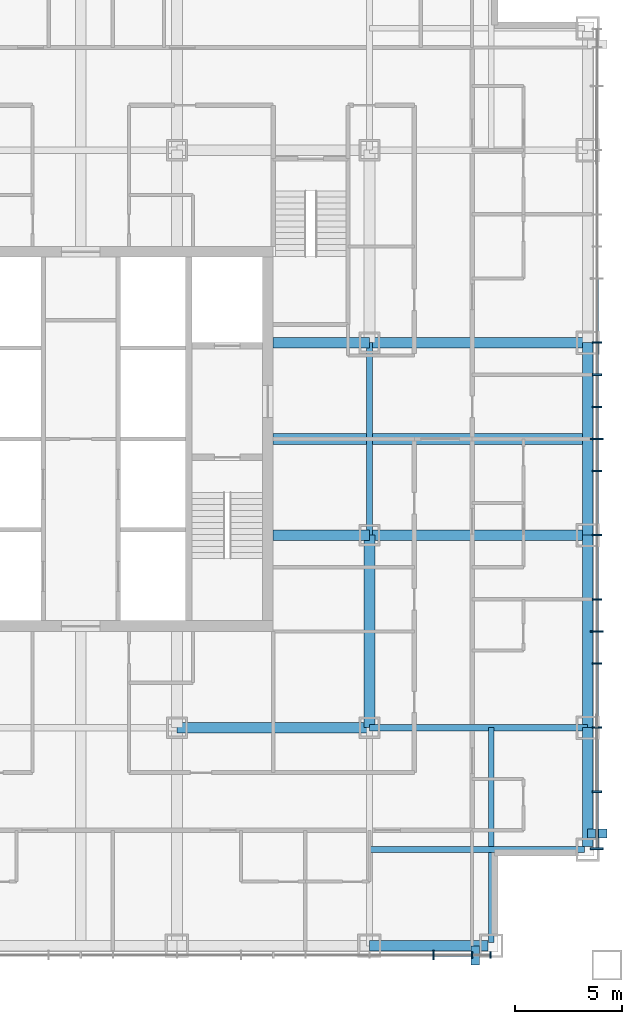
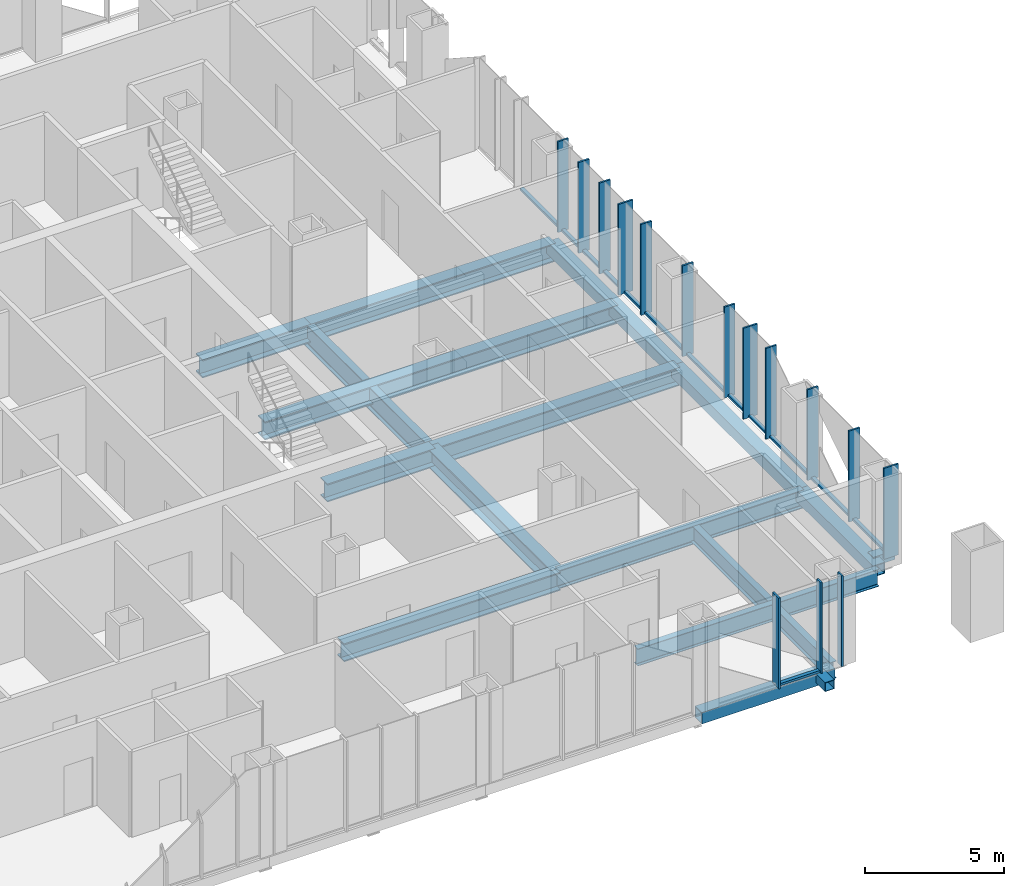
# One storey, part 4 of 16: 30 members, 15 beams, 2 elements without a shape of their own.
"""IFC4 building model written with IfcOpenShell, lengths in metres."""

from ifc_helpers import new_model, si_unit, direction, frame, origin, origin_2d, place, context, subcontext, project, spatial, rectangle, hollow_rectangle, i_section, extrude, material, layer, layer_set, material_profile, profile_set, type_object, element, aggregate, save


model = new_model("IFC4")

# Units and contexts
model_context = context("Model", 3, precision=1e-05, world=origin(), true_north=direction((0.0, 1.0)))
body_context = subcontext(model_context, "Body", "Model", "MODEL_VIEW")
ifc_project = project(units=[si_unit("LENGTHUNIT", "METRE"), si_unit("AREAUNIT", "SQUARE_METRE"), si_unit("VOLUMEUNIT", "CUBIC_METRE"), si_unit("PLANEANGLEUNIT", "RADIAN"), si_unit("MASSUNIT", "GRAM", prefix="KILO")], contexts=[model_context])

# Site, building, storey
site_placement = place(None, origin())
site = spatial("IfcSite", under=ifc_project, at=site_placement, CompositionType="ELEMENT")
building_placement = place(site_placement, origin())
building = spatial("IfcBuilding", under=site, at=building_placement, Name="Malebo Sky Hospital", CompositionType="ELEMENT")
storey_placement = place(building_placement, frame((0.0, 0.0, 144.0)))
storey = spatial("IfcBuildingStorey", under=building, at=storey_placement, Name="L34", CompositionType="ELEMENT", Elevation=144.0)

# Curtain wall, member
ifc_material_1 = material(Name="Anodised aluminium, natural silver", Category="aluminium")
ifc_layer_1 = layer(ifc_material_1, 0.25)
ifc_layer_set_1 = layer_set([ifc_layer_1], Name="WARD CURTAIN WALL NORTH AND SOUTH")
curtain_wall_type_1 = type_object("IfcCurtainWallType", Name="WARD CURTAIN WALL NORTH AND SOUTH", PredefinedType="NOTDEFINED", material=ifc_layer_set_1)
curtain_wall_1_placement = place(storey_placement, origin())
curtain_wall_1 = element("IfcCurtainWall", 1, at=curtain_wall_1_placement, inside=storey, type_object=curtain_wall_type_1, Name="NS curtain wall S", PredefinedType="NOTDEFINED")
ifc_material_profile_1 = material_profile(ifc_material_1, rectangle(XDim=0.14990234375, YDim=0.10009765625, at=origin_2d()), Name="ALUMINIUM TRANSOM 150x100")
ifc_profile_set_1 = profile_set([ifc_material_profile_1], Name="Anodised aluminium, natural silver")
member_type_1 = type_object("IfcMemberType", Name="ALUMINIUM TRANSOM 150x100", PredefinedType="USERDEFINED", material=ifc_profile_set_1)
member_1_placement = place(storey_placement, frame((78.262451171875, 37.864990234375, 0.050048828125), z_axis=(-1.0, 0.0, 0.0), x_axis=(0.0, -1.0, 0.0)))
member_1 = element("IfcMember", 2, at=member_1_placement, type_object=member_type_1, Name="Transom 2", ObjectType="TRANSOM", PredefinedType="USERDEFINED", context=body_context, shape_type="SweptSolid", body=[
    extrude(rectangle(XDim=0.14990234375, YDim=0.10009765625, at=origin_2d()), origin(), (0.0, 0.0, 1.0), 1.724853515625),
])

# Curtain wall, members
ifc_layer_2 = layer(ifc_material_1, 0.25)
ifc_layer_set_2 = layer_set([ifc_layer_2], Name="WARD CURTAIN WALL EAST AND WEST")
curtain_wall_type_2 = type_object("IfcCurtainWallType", Name="WARD CURTAIN WALL EAST AND WEST", PredefinedType="NOTDEFINED", material=ifc_layer_set_2)
curtain_wall_2_placement = place(storey_placement, origin())
curtain_wall_2 = element("IfcCurtainWall", 3, at=curtain_wall_2_placement, inside=storey, type_object=curtain_wall_type_2, Name="EW curtain wall E", PredefinedType="NOTDEFINED")
member_2_placement = place(storey_placement, frame((84.135009765625, 69.46240234375, 0.050048828125), z_axis=(0.0, -1.0, 0.0), x_axis=(1.0, 0.0, 0.0)))
member_2 = element("IfcMember", 4, at=member_2_placement, type_object=member_type_1, Name="Transom 7", ObjectType="TRANSOM", PredefinedType="USERDEFINED", context=body_context, shape_type="SweptSolid", body=[
    extrude(rectangle(XDim=0.14990234375, YDim=0.10009765625, at=origin_2d()), origin(), (0.0, 0.0, 1.0), 2.9248046875),
])
member_3_placement = place(storey_placement, frame((84.135009765625, 66.46240234375, 0.050048828125), z_axis=(0.0, -1.0, 0.0), x_axis=(1.0, 0.0, 0.0)))
member_3 = element("IfcMember", 5, at=member_3_placement, type_object=member_type_1, Name="Transom 8", ObjectType="TRANSOM", PredefinedType="USERDEFINED", context=body_context, shape_type="SweptSolid", body=[
    extrude(rectangle(XDim=0.14990234375, YDim=0.10009765625, at=origin_2d()), origin(), (0.0, 0.0, 1.0), 1.4248046875),
])
member_4_placement = place(storey_placement, frame((84.135009765625, 64.96240234375, 0.050048828125), z_axis=(0.0, -1.0, 0.0), x_axis=(1.0, 0.0, 0.0)))
member_4 = element("IfcMember", 6, at=member_4_placement, type_object=member_type_1, Name="Transom 9", ObjectType="TRANSOM", PredefinedType="USERDEFINED", context=body_context, shape_type="SweptSolid", body=[
    extrude(rectangle(XDim=0.14990234375, YDim=0.10009765625, at=origin_2d()), origin(), (0.0, 0.0, 1.0), 1.4248046875),
])
member_5_placement = place(storey_placement, frame((84.135009765625, 63.46240234375, 0.050048828125), z_axis=(0.0, -1.0, 0.0), x_axis=(1.0, 0.0, 0.0)))
member_5 = element("IfcMember", 7, at=member_5_placement, type_object=member_type_1, Name="Transom 10", ObjectType="TRANSOM", PredefinedType="USERDEFINED", context=body_context, shape_type="SweptSolid", body=[
    extrude(rectangle(XDim=0.14990234375, YDim=0.10009765625, at=origin_2d()), origin(), (0.0, 0.0, 1.0), 1.4248046875),
])
member_6_placement = place(storey_placement, frame((84.135009765625, 61.96240234375, 0.050048828125), z_axis=(0.0, -1.0, 0.0), x_axis=(1.0, 0.0, 0.0)))
member_6 = element("IfcMember", 8, at=member_6_placement, type_object=member_type_1, Name="Transom 11", ObjectType="TRANSOM", PredefinedType="USERDEFINED", context=body_context, shape_type="SweptSolid", body=[
    extrude(rectangle(XDim=0.14990234375, YDim=0.10009765625, at=origin_2d()), origin(), (0.0, 0.0, 1.0), 1.4248046875),
])
member_7_placement = place(storey_placement, frame((84.135009765625, 60.46240234375, 0.050048828125), z_axis=(0.0, -1.0, 0.0), x_axis=(1.0, 0.0, 0.0)))
member_7 = element("IfcMember", 9, at=member_7_placement, type_object=member_type_1, Name="Transom 12", ObjectType="TRANSOM", PredefinedType="USERDEFINED", context=body_context, shape_type="SweptSolid", body=[
    extrude(rectangle(XDim=0.14990234375, YDim=0.10009765625, at=origin_2d()), origin(), (0.0, 0.0, 1.0), 2.9248046875),
])
member_8_placement = place(storey_placement, frame((84.135009765625, 57.46240234375, 0.050048828125), z_axis=(0.0, -1.0, 0.0), x_axis=(1.0, 0.0, 0.0)))
member_8 = element("IfcMember", 10, at=member_8_placement, type_object=member_type_1, Name="Transom 13", ObjectType="TRANSOM", PredefinedType="USERDEFINED", context=body_context, shape_type="SweptSolid", body=[
    extrude(rectangle(XDim=0.14990234375, YDim=0.10009765625, at=origin_2d()), origin(), (0.0, 0.0, 1.0), 2.9248046875),
])
member_9_placement = place(storey_placement, frame((84.135009765625, 54.46240234375, 0.050048828125), z_axis=(0.0, -1.0, 0.0), x_axis=(1.0, 0.0, 0.0)))
member_9 = element("IfcMember", 11, at=member_9_placement, type_object=member_type_1, Name="Transom 14", ObjectType="TRANSOM", PredefinedType="USERDEFINED", context=body_context, shape_type="SweptSolid", body=[
    extrude(rectangle(XDim=0.14990234375, YDim=0.10009765625, at=origin_2d()), origin(), (0.0, 0.0, 1.0), 1.4248046875),
])
member_10_placement = place(storey_placement, frame((84.135009765625, 52.96240234375, 0.050048828125), z_axis=(0.0, -1.0, 0.0), x_axis=(1.0, 0.0, 0.0)))
member_10 = element("IfcMember", 12, at=member_10_placement, type_object=member_type_1, Name="Transom 15", ObjectType="TRANSOM", PredefinedType="USERDEFINED", context=body_context, shape_type="SweptSolid", body=[
    extrude(rectangle(XDim=0.14990234375, YDim=0.10009765625, at=origin_2d()), origin(), (0.0, 0.0, 1.0), 1.4248046875),
])
member_11_placement = place(storey_placement, frame((84.135009765625, 51.46240234375, 0.050048828125), z_axis=(0.0, -1.0, 0.0), x_axis=(1.0, 0.0, 0.0)))
member_11 = element("IfcMember", 13, at=member_11_placement, type_object=member_type_1, Name="Transom 16", ObjectType="TRANSOM", PredefinedType="USERDEFINED", context=body_context, shape_type="SweptSolid", body=[
    extrude(rectangle(XDim=0.14990234375, YDim=0.10009765625, at=origin_2d()), origin(), (0.0, 0.0, 1.0), 2.9248046875),
])
member_12_placement = place(storey_placement, frame((84.135009765625, 48.46240234375, 0.050048828125), z_axis=(0.0, -1.0, 0.0), x_axis=(1.0, 0.0, 0.0)))
member_12 = element("IfcMember", 14, at=member_12_placement, type_object=member_type_1, Name="Transom 17", ObjectType="TRANSOM", PredefinedType="USERDEFINED", context=body_context, shape_type="SweptSolid", body=[
    extrude(rectangle(XDim=0.14990234375, YDim=0.10009765625, at=origin_2d()), origin(), (0.0, 0.0, 1.0), 2.9248046875),
])
member_13_placement = place(storey_placement, frame((84.135009765625, 45.46240234375, 0.050048828125), z_axis=(0.0, -1.0, 0.0), x_axis=(1.0, 0.0, 0.0)))
member_13 = element("IfcMember", 15, at=member_13_placement, type_object=member_type_1, Name="Transom 18", ObjectType="TRANSOM", PredefinedType="USERDEFINED", context=body_context, shape_type="SweptSolid", body=[
    extrude(rectangle(XDim=0.14990234375, YDim=0.10009765625, at=origin_2d()), origin(), (0.0, 0.0, 1.0), 2.58740234375),
])

# Members
ifc_material_2 = material(Name="Steel S355", Category="steel")
ifc_material_profile_2 = material_profile(ifc_material_2, hollow_rectangle(XDim=0.39990234375, YDim=0.39990234375, WallThickness=0.02001953125, at=origin_2d()), Name="SHS 400x20")
ifc_profile_set_2 = profile_set([ifc_material_profile_2], Name="Steel S355")
member_type_2 = type_object("IfcMemberType", Name="BRACE STRUT SHS 400x20", PredefinedType="STRUT", material=ifc_profile_set_2)
for number, where, z_axis, x_axis, name in (
    (16, (78.449951171875, 37.39990234375, -0.39990234375), (0.0, 1.0, 0.0), (-1.0, 0.0, 0.0), "Brace strut BS2 L34"),
    (17, (84.60009765625, 43.550048828125, -0.39990234375), (-1.0, 0.0, 0.0), (0.0, -1.0, 0.0), "Brace strut BE1 L34"),
):
    element("IfcMember", number, at=place(storey_placement, frame(where, z_axis=z_axis, x_axis=x_axis)), inside=storey, type_object=member_type_2, Name=name, PredefinedType="STRUT", context=body_context, shape_type="SweptSolid", body=[
        extrude(hollow_rectangle(XDim=0.39990234375, YDim=0.39990234375, WallThickness=0.02001953125, at=origin_2d()), origin(), (0.0, 0.0, 1.0), 0.900146484375),
    ])

# Member
ifc_material_profile_3 = material_profile(ifc_material_1, rectangle(XDim=0.074951171875, YDim=0.300048828125, at=origin_2d()), Name="CW1 ALUMINIUM FIN MULLION 75x300")
ifc_profile_set_3 = profile_set([ifc_material_profile_3], Name="Anodised aluminium, natural silver")
member_type_3 = type_object("IfcMemberType", Name="CW1 ALUMINIUM FIN MULLION 75x300", PredefinedType="MULLION", material=ifc_profile_set_3)
member_14_placement = place(storey_placement, frame((79.16259765625, 37.864990234375, 0.0), z_axis=(0.0, 0.0, 1.0), x_axis=(-1.0, 0.0, 0.0)))
member_14 = element("IfcMember", 18, at=member_14_placement, type_object=member_type_3, Name="Fin mullion 1", PredefinedType="MULLION", context=body_context, shape_type="SweptSolid", body=[
    extrude(rectangle(XDim=0.074951171875, YDim=0.300048828125, at=origin_2d()), origin(), (0.0, 0.0, 1.0), 4.0),
])

member_15_placement = place(storey_placement, frame((78.300048828125, 37.864990234375, 0.0), z_axis=(0.0, 0.0, 1.0), x_axis=(-1.0, 0.0, 0.0)))
member_15 = element("IfcMember", 19, at=member_15_placement, type_object=member_type_3, Name="Fin mullion 2", PredefinedType="MULLION", context=body_context, shape_type="SweptSolid", body=[
    extrude(rectangle(XDim=0.074951171875, YDim=0.300048828125, at=origin_2d()), origin(), (0.0, 0.0, 1.0), 4.0),
])

ifc_material_profile_4 = material_profile(ifc_material_1, rectangle(XDim=0.074951171875, YDim=0.449951171875, at=origin_2d()), Name="CW1 ALUMINIUM FIN MULLION 75x450")
ifc_profile_set_4 = profile_set([ifc_material_profile_4], Name="Anodised aluminium, natural silver")
member_type_4 = type_object("IfcMemberType", Name="CW1 ALUMINIUM FIN MULLION 75x450", PredefinedType="MULLION", material=ifc_profile_set_4)
member_16_placement = place(storey_placement, frame((76.5, 37.864990234375, 0.0), z_axis=(0.0, 0.0, 1.0), x_axis=(-1.0, 0.0, 0.0)))
member_16 = element("IfcMember", 20, at=member_16_placement, type_object=member_type_4, Name="Fin mullion 3", PredefinedType="MULLION", context=body_context, shape_type="SweptSolid", body=[
    extrude(rectangle(XDim=0.074951171875, YDim=0.449951171875, at=origin_2d()), origin(), (0.0, 0.0, 1.0), 4.0),
])

aggregate(curtain_wall_1, [member_14, member_15, member_16, member_1])

ifc_material_profile_5 = material_profile(ifc_material_1, rectangle(XDim=0.074951171875, YDim=0.449951171875, at=origin_2d()), Name="CW2 ALUMINIUM FIN MULLION 75x450")
ifc_profile_set_5 = profile_set([ifc_material_profile_5], Name="Anodised aluminium, natural silver")
member_type_5 = type_object("IfcMemberType", Name="CW2 ALUMINIUM FIN MULLION 75x450", PredefinedType="MULLION", material=ifc_profile_set_5)
member_17_placement = place(storey_placement, frame((84.135009765625, 66.5, 0.0), z_axis=(0.0, 0.0, 1.0), x_axis=(0.0, -1.0, 0.0)))
member_17 = element("IfcMember", 21, at=member_17_placement, type_object=member_type_5, Name="Fin mullion 8", PredefinedType="MULLION", context=body_context, shape_type="SweptSolid", body=[
    extrude(rectangle(XDim=0.074951171875, YDim=0.449951171875, at=origin_2d()), origin(), (0.0, 0.0, 1.0), 4.0),
])

member_18_placement = place(storey_placement, frame((84.135009765625, 65.0, 0.0), z_axis=(0.0, 0.0, 1.0), x_axis=(0.0, -1.0, 0.0)))
member_18 = element("IfcMember", 22, at=member_18_placement, type_object=member_type_5, Name="Fin mullion 9", PredefinedType="MULLION", context=body_context, shape_type="SweptSolid", body=[
    extrude(rectangle(XDim=0.074951171875, YDim=0.449951171875, at=origin_2d()), origin(), (0.0, 0.0, 1.0), 4.0),
])

member_19_placement = place(storey_placement, frame((84.135009765625, 63.5, 0.0), z_axis=(0.0, 0.0, 1.0), x_axis=(0.0, -1.0, 0.0)))
member_19 = element("IfcMember", 23, at=member_19_placement, type_object=member_type_5, Name="Fin mullion 10", PredefinedType="MULLION", context=body_context, shape_type="SweptSolid", body=[
    extrude(rectangle(XDim=0.074951171875, YDim=0.449951171875, at=origin_2d()), origin(), (0.0, 0.0, 1.0), 4.0),
])

member_20_placement = place(storey_placement, frame((84.135009765625, 60.5, 0.0), z_axis=(0.0, 0.0, 1.0), x_axis=(0.0, -1.0, 0.0)))
member_20 = element("IfcMember", 24, at=member_20_placement, type_object=member_type_5, Name="Fin mullion 12", PredefinedType="MULLION", context=body_context, shape_type="SweptSolid", body=[
    extrude(rectangle(XDim=0.074951171875, YDim=0.449951171875, at=origin_2d()), origin(), (0.0, 0.0, 1.0), 4.0),
])

member_21_placement = place(storey_placement, frame((84.135009765625, 57.5, 0.0), z_axis=(0.0, 0.0, 1.0), x_axis=(0.0, -1.0, 0.0)))
member_21 = element("IfcMember", 25, at=member_21_placement, type_object=member_type_5, Name="Fin mullion 13", PredefinedType="MULLION", context=body_context, shape_type="SweptSolid", body=[
    extrude(rectangle(XDim=0.074951171875, YDim=0.449951171875, at=origin_2d()), origin(), (0.0, 0.0, 1.0), 4.0),
])

member_22_placement = place(storey_placement, frame((84.135009765625, 54.5, 0.0), z_axis=(0.0, 0.0, 1.0), x_axis=(0.0, -1.0, 0.0)))
member_22 = element("IfcMember", 26, at=member_22_placement, type_object=member_type_5, Name="Fin mullion 14", PredefinedType="MULLION", context=body_context, shape_type="SweptSolid", body=[
    extrude(rectangle(XDim=0.074951171875, YDim=0.449951171875, at=origin_2d()), origin(), (0.0, 0.0, 1.0), 4.0),
])

member_23_placement = place(storey_placement, frame((84.135009765625, 51.5, 0.0), z_axis=(0.0, 0.0, 1.0), x_axis=(0.0, -1.0, 0.0)))
member_23 = element("IfcMember", 27, at=member_23_placement, type_object=member_type_5, Name="Fin mullion 16", PredefinedType="MULLION", context=body_context, shape_type="SweptSolid", body=[
    extrude(rectangle(XDim=0.074951171875, YDim=0.449951171875, at=origin_2d()), origin(), (0.0, 0.0, 1.0), 4.0),
])

member_24_placement = place(storey_placement, frame((84.135009765625, 48.5, 0.0), z_axis=(0.0, 0.0, 1.0), x_axis=(0.0, -1.0, 0.0)))
member_24 = element("IfcMember", 28, at=member_24_placement, type_object=member_type_5, Name="Fin mullion 17", PredefinedType="MULLION", context=body_context, shape_type="SweptSolid", body=[
    extrude(rectangle(XDim=0.074951171875, YDim=0.449951171875, at=origin_2d()), origin(), (0.0, 0.0, 1.0), 4.0),
])

member_25_placement = place(storey_placement, frame((84.135009765625, 45.5, 0.0), z_axis=(0.0, 0.0, 1.0), x_axis=(0.0, -1.0, 0.0)))
member_25 = element("IfcMember", 29, at=member_25_placement, type_object=member_type_5, Name="Fin mullion 18", PredefinedType="MULLION", context=body_context, shape_type="SweptSolid", body=[
    extrude(rectangle(XDim=0.074951171875, YDim=0.449951171875, at=origin_2d()), origin(), (0.0, 0.0, 1.0), 4.0),
])

ifc_material_profile_6 = material_profile(ifc_material_1, rectangle(XDim=0.074951171875, YDim=0.60009765625, at=origin_2d()), Name="CW2 ALUMINIUM FIN MULLION 75x600")
ifc_profile_set_6 = profile_set([ifc_material_profile_6], Name="Anodised aluminium, natural silver")
member_type_6 = type_object("IfcMemberType", Name="CW2 ALUMINIUM FIN MULLION 75x600", PredefinedType="MULLION", material=ifc_profile_set_6)
member_26_placement = place(storey_placement, frame((84.135009765625, 62.0, 0.0), z_axis=(0.0, 0.0, 1.0), x_axis=(0.0, -1.0, 0.0)))
member_26 = element("IfcMember", 30, at=member_26_placement, type_object=member_type_6, Name="Fin mullion 11", PredefinedType="MULLION", context=body_context, shape_type="SweptSolid", body=[
    extrude(rectangle(XDim=0.074951171875, YDim=0.60009765625, at=origin_2d()), origin(), (0.0, 0.0, 1.0), 4.0),
])

member_27_placement = place(storey_placement, frame((84.135009765625, 53.0, 0.0), z_axis=(0.0, 0.0, 1.0), x_axis=(0.0, -1.0, 0.0)))
member_27 = element("IfcMember", 31, at=member_27_placement, type_object=member_type_6, Name="Fin mullion 15", PredefinedType="MULLION", context=body_context, shape_type="SweptSolid", body=[
    extrude(rectangle(XDim=0.074951171875, YDim=0.60009765625, at=origin_2d()), origin(), (0.0, 0.0, 1.0), 4.0),
])

member_28_placement = place(storey_placement, frame((84.135009765625, 42.83740234375, 0.0), z_axis=(0.0, 0.0, 1.0), x_axis=(0.0, -1.0, 0.0)))
member_28 = element("IfcMember", 32, at=member_28_placement, type_object=member_type_6, Name="Fin mullion 19", PredefinedType="MULLION", context=body_context, shape_type="SweptSolid", body=[
    extrude(rectangle(XDim=0.074951171875, YDim=0.60009765625, at=origin_2d()), origin(), (0.0, 0.0, 1.0), 4.0),
])

aggregate(curtain_wall_2, [member_17, member_18, member_19, member_26, member_20, member_21, member_22, member_27, member_23, member_24, member_25, member_28, member_2, member_3, member_4, member_5, member_6, member_7, member_8, member_9, member_10, member_11, member_12, member_13])

# Beams
ifc_material_3 = material(Name="Steel S460", Category="steel")
ifc_material_profile_7 = material_profile(ifc_material_3, hollow_rectangle(XDim=0.5, YDim=0.5, WallThickness=0.030029296875, at=origin_2d()), Name="BOX 500x500x30")
ifc_profile_set_7 = profile_set([ifc_material_profile_7], Name="Steel S460")
beam_type_1 = type_object("IfcBeamType", Name="EDGE BEAM BOX 500x500x30", PredefinedType="BEAM", material=ifc_profile_set_7)
beam_1_placement = place(storey_placement, frame((83.699951171875, 42.949951171875, -0.5), z_axis=(0.0, 1.0, 0.0), x_axis=(-1.0, 0.0, 0.0)))
element("IfcBeam", 33, at=beam_1_placement, inside=storey, type_object=beam_type_1, Name="Beam 029 L34", PredefinedType="BEAM", context=body_context, shape_type="SweptSolid", body=[
    extrude(hollow_rectangle(XDim=0.5, YDim=0.5, WallThickness=0.030029296875, at=origin_2d()), origin(), (0.0, 0.0, 1.0), 5.550048828125),
])
for number, where, z_axis, x_axis, name in (
    (34, (83.699951171875, 48.5, -0.5), (0.0, 1.0, 0.0), (-1.0, 0.0, 0.0), "Beam 030 L34"),
    (35, (83.699951171875, 57.5, -0.5), (0.0, 1.0, 0.0), (-1.0, 0.0, 0.0), "Beam 031 L34"),
):
    element("IfcBeam", number, at=place(storey_placement, frame(where, z_axis=z_axis, x_axis=x_axis)), inside=storey, type_object=beam_type_1, Name=name, PredefinedType="BEAM", context=body_context, shape_type="SweptSolid", body=[
        extrude(hollow_rectangle(XDim=0.5, YDim=0.5, WallThickness=0.030029296875, at=origin_2d()), origin(), (0.0, 0.0, 1.0), 9.0),
    ])
beam_2_placement = place(storey_placement, frame((73.5, 38.300048828125, -0.5), z_axis=(1.0, 0.0, 0.0), x_axis=(0.0, 1.0, 0.0)))
element("IfcBeam", 36, at=beam_2_placement, inside=storey, type_object=beam_type_1, Name="Beam 038 L34", PredefinedType="BEAM", context=body_context, shape_type="SweptSolid", body=[
    extrude(hollow_rectangle(XDim=0.5, YDim=0.5, WallThickness=0.030029296875, at=origin_2d()), origin(), (0.0, 0.0, 1.0), 5.550048828125),
])
ifc_material_profile_8 = material_profile(ifc_material_2, i_section(OverallWidth=0.262939453125, OverallDepth=0.7529296875, WebThickness=0.011474609375, FlangeThickness=0.01708984375, FilletRadius=0.01708984375, at=origin_2d()), Name="IPE 750x137")
ifc_profile_set_8 = profile_set([ifc_material_profile_8], Name="Steel S355")
beam_type_2 = type_object("IfcBeamType", Name="FLOOR BEAM IPE 750x137", PredefinedType="BEAM", material=ifc_profile_set_8)
for number, where, z_axis, x_axis, name in (
    (37, (79.199951171875, 38.449951171875, -0.62646484375), (0.0, 1.0, 0.0), (-1.0, 0.0, 0.0), "Beam 027 L34"),
    (38, (73.5, 42.800048828125, -0.62646484375), (1.0, 0.0, 0.0), (0.0, 1.0, 0.0), "Beam 040 L34"),
):
    element("IfcBeam", number, at=place(storey_placement, frame(where, z_axis=z_axis, x_axis=x_axis)), inside=storey, type_object=beam_type_2, Name=name, PredefinedType="BEAM", context=body_context, shape_type="SweptSolid", body=[
        extrude(i_section(OverallWidth=0.262939453125, OverallDepth=0.7529296875, WebThickness=0.011474609375, FlangeThickness=0.01708984375, FilletRadius=0.01708984375, at=origin_2d()), origin(), (0.0, 0.0, 1.0), 10.050048828125),
    ])
ifc_material_profile_9 = material_profile(ifc_material_2, i_section(OverallWidth=0.5, OverallDepth=0.800048828125, WebThickness=0.030029296875, FlangeThickness=0.050048828125, at=origin_2d()), Name="PG 800x500x30x50")
ifc_profile_set_9 = profile_set([ifc_material_profile_9], Name="Steel S355")
beam_type_3 = type_object("IfcBeamType", Name="FLOOR BEAM PG 800x500x30x50", PredefinedType="BEAM", material=ifc_profile_set_9)
for number, where, z_axis, x_axis, name in (
    (39, (73.5, 48.5, -0.64990234375), (0.0, 1.0, 0.0), (-1.0, 0.0, 0.0), "Beam 023 L34"),
    (40, (64.5, 48.5, -0.64990234375), (1.0, 0.0, 0.0), (0.0, 1.0, 0.0), "Beam 044 L34"),
):
    element("IfcBeam", number, at=place(storey_placement, frame(where, z_axis=z_axis, x_axis=x_axis)), inside=storey, type_object=beam_type_3, Name=name, PredefinedType="BEAM", context=body_context, shape_type="SweptSolid", body=[
        extrude(i_section(OverallWidth=0.5, OverallDepth=0.800048828125, WebThickness=0.030029296875, FlangeThickness=0.050048828125, at=origin_2d()), origin(), (0.0, 0.0, 1.0), 9.0),
    ])
beam_3_placement = place(storey_placement, frame((69.0, 57.5, -0.64990234375), z_axis=(1.0, 0.0, 0.0), x_axis=(0.0, 1.0, 0.0)))
element("IfcBeam", 41, at=beam_3_placement, inside=storey, type_object=beam_type_3, Name="Beam 048 L34", PredefinedType="BEAM", context=body_context, shape_type="SweptSolid", body=[
    extrude(i_section(OverallWidth=0.5, OverallDepth=0.800048828125, WebThickness=0.030029296875, FlangeThickness=0.050048828125, at=origin_2d()), origin(), (0.0, 0.0, 1.0), 4.5),
])
beam_4_placement = place(storey_placement, frame((73.5, 57.5, -0.64990234375), z_axis=(1.0, 0.0, 0.0), x_axis=(0.0, 1.0, 0.0)))
element("IfcBeam", 42, at=beam_4_placement, inside=storey, type_object=beam_type_3, Name="Beam 049 L34", PredefinedType="BEAM", context=body_context, shape_type="SweptSolid", body=[
    extrude(i_section(OverallWidth=0.5, OverallDepth=0.800048828125, WebThickness=0.030029296875, FlangeThickness=0.050048828125, at=origin_2d()), origin(), (0.0, 0.0, 1.0), 10.199951171875),
])
beam_5_placement = place(storey_placement, frame((69.0, 62.0, -0.64990234375), z_axis=(1.0, 0.0, 0.0), x_axis=(0.0, 1.0, 0.0)))
element("IfcBeam", 43, at=beam_5_placement, inside=storey, type_object=beam_type_3, Name="Beam 051 L34", PredefinedType="BEAM", context=body_context, shape_type="SweptSolid", body=[
    extrude(i_section(OverallWidth=0.5, OverallDepth=0.800048828125, WebThickness=0.030029296875, FlangeThickness=0.050048828125, at=origin_2d()), origin(), (0.0, 0.0, 1.0), 14.699951171875),
])
beam_6_placement = place(storey_placement, frame((69.0, 66.5, -0.64990234375), z_axis=(1.0, 0.0, 0.0), x_axis=(0.0, 1.0, 0.0)))
element("IfcBeam", 44, at=beam_6_placement, inside=storey, type_object=beam_type_3, Name="Beam 054 L34", PredefinedType="BEAM", context=body_context, shape_type="SweptSolid", body=[
    extrude(i_section(OverallWidth=0.5, OverallDepth=0.800048828125, WebThickness=0.030029296875, FlangeThickness=0.050048828125, at=origin_2d()), origin(), (0.0, 0.0, 1.0), 4.5),
])
beam_7_placement = place(storey_placement, frame((73.5, 66.5, -0.64990234375), z_axis=(1.0, 0.0, 0.0), x_axis=(0.0, 1.0, 0.0)))
element("IfcBeam", 45, at=beam_7_placement, inside=storey, type_object=beam_type_3, Name="Beam 055 L34", PredefinedType="BEAM", context=body_context, shape_type="SweptSolid", body=[
    extrude(i_section(OverallWidth=0.5, OverallDepth=0.800048828125, WebThickness=0.030029296875, FlangeThickness=0.050048828125, at=origin_2d()), origin(), (0.0, 0.0, 1.0), 10.199951171875),
])
ifc_material_profile_10 = material_profile(ifc_material_2, i_section(OverallWidth=0.300048828125, OverallDepth=0.800048828125, WebThickness=0.017578125, FlangeThickness=0.032958984375, FilletRadius=0.030029296875, at=origin_2d()), Name="HEB 800")
ifc_profile_set_10 = profile_set([ifc_material_profile_10], Name="Steel S355")
beam_type_4 = type_object("IfcBeamType", Name="FLOOR GIRDER HEB 800", PredefinedType="BEAM", material=ifc_profile_set_10)
beam_8_placement = place(storey_placement, frame((73.5, 48.5, -0.64990234375), z_axis=(1.0, 0.0, 0.0), x_axis=(0.0, 1.0, 0.0)))
element("IfcBeam", 46, at=beam_8_placement, inside=storey, type_object=beam_type_4, Name="Beam 045 L34", PredefinedType="BEAM", context=body_context, shape_type="SweptSolid", body=[
    extrude(i_section(OverallWidth=0.300048828125, OverallDepth=0.800048828125, WebThickness=0.017578125, FlangeThickness=0.032958984375, FilletRadius=0.030029296875, at=origin_2d()), origin(), (0.0, 0.0, 1.0), 10.199951171875),
])
ifc_material_profile_11 = material_profile(ifc_material_2, i_section(OverallWidth=0.300048828125, OverallDepth=1.0, WebThickness=0.01904296875, FlangeThickness=0.035888671875, FilletRadius=0.030029296875, at=origin_2d()), Name="HEB 1000")
ifc_profile_set_11 = profile_set([ifc_material_profile_11], Name="Steel S355")
beam_type_5 = type_object("IfcBeamType", Name="RING GIRDER HEB 1000", PredefinedType="BEAM", material=ifc_profile_set_11)
beam_9_placement = place(storey_placement, frame((73.5, 57.5, -0.75), z_axis=(0.0, 1.0, 0.0), x_axis=(-1.0, 0.0, 0.0)))
element("IfcBeam", 47, at=beam_9_placement, inside=storey, type_object=beam_type_5, Name="Beam 024 L34", PredefinedType="BEAM", context=body_context, shape_type="SweptSolid", body=[
    extrude(i_section(OverallWidth=0.300048828125, OverallDepth=1.0, WebThickness=0.01904296875, FlangeThickness=0.035888671875, FilletRadius=0.030029296875, at=origin_2d()), origin(), (0.0, 0.0, 1.0), 9.0),
])

save(model, "model.ifc")
